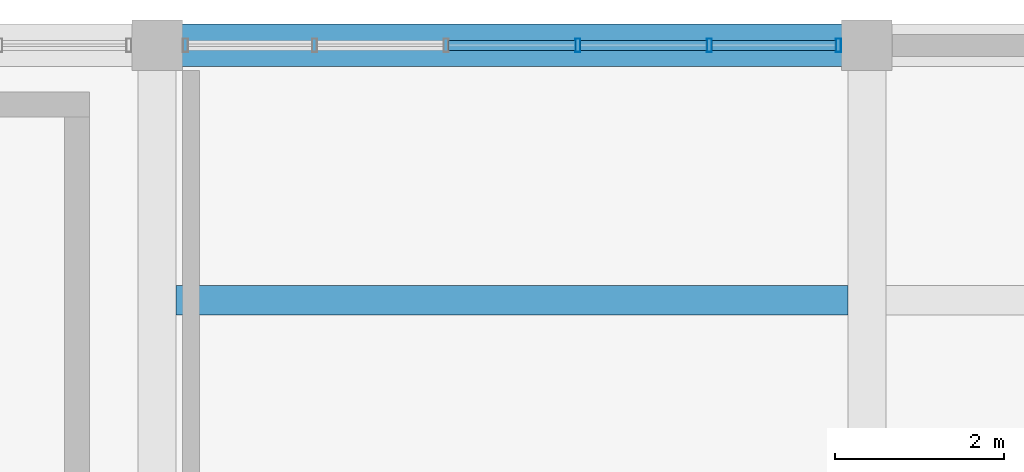
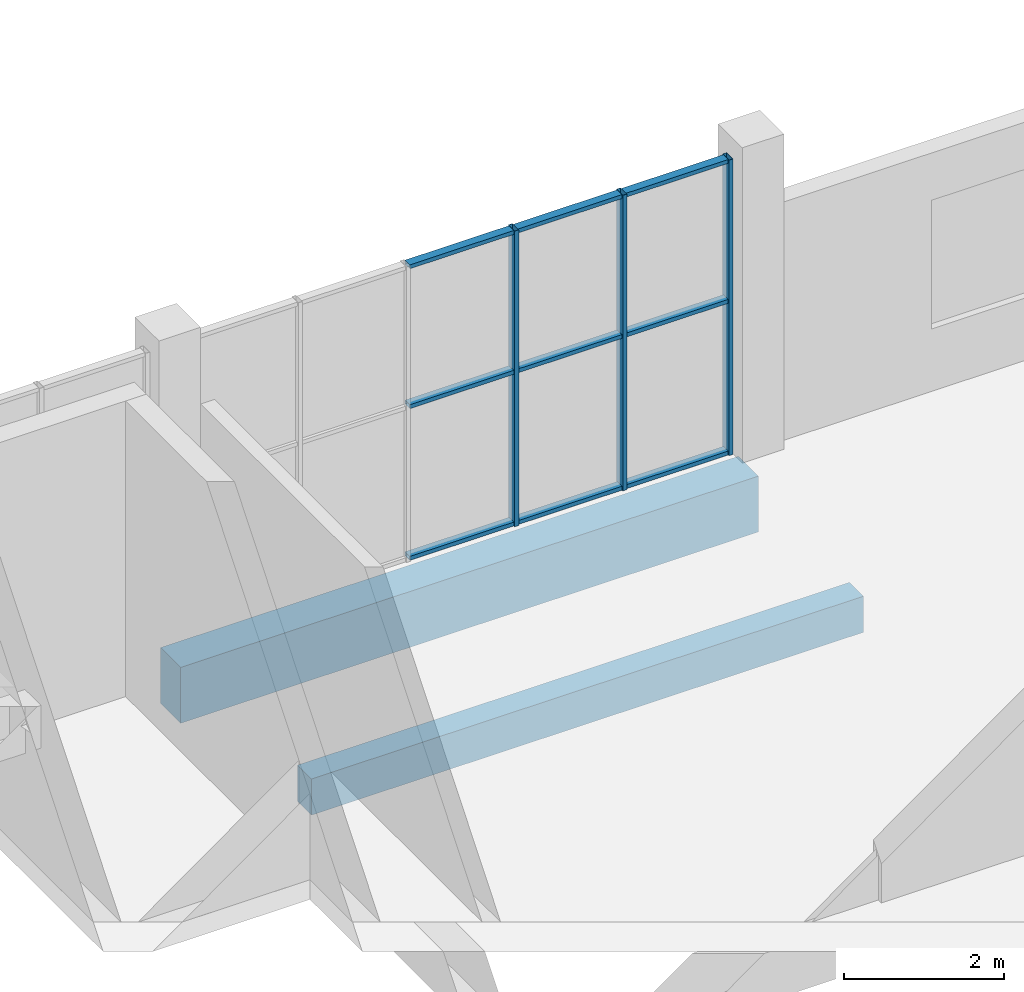
# One storey, part 36 of 80: 12 members, 2 beams, 1 element without a shape of its own.
"""IFC4 building model written with IfcOpenShell, lengths in metres."""

from ifc_helpers import new_model, si_unit, direction, frame, origin, origin_2d, place, context, subcontext, project, spatial, rectangle, hollow_rectangle, extrude, material, material_profile, profile_set, type_object, element, aggregate, save


model = new_model("IFC4")

# Units and contexts
model_context = context("Model", 3, precision=1e-05, world=origin(), true_north=direction((0.0, 1.0)))
body_context = subcontext(model_context, "Body", "Model", "MODEL_VIEW")
ifc_project = project(units=[si_unit("LENGTHUNIT", "METRE"), si_unit("AREAUNIT", "SQUARE_METRE"), si_unit("VOLUMEUNIT", "CUBIC_METRE"), si_unit("PLANEANGLEUNIT", "RADIAN"), si_unit("MASSUNIT", "GRAM", prefix="KILO")], contexts=[model_context])

# Site, building, storey
site_placement = place(None, origin())
site = spatial("IfcSite", under=ifc_project, at=site_placement, CompositionType="ELEMENT")
building_placement = place(site_placement, origin())
building = spatial("IfcBuilding", under=site, at=building_placement, Name="Khurvash Pelagic Aquarium", CompositionType="ELEMENT")
storey_placement = place(building_placement, frame((0.0, 0.0, 10.800048828125)))
storey = spatial("IfcBuildingStorey", under=building, at=storey_placement, Name="L02", CompositionType="ELEMENT", Elevation=10.800048828125)

# Curtain wall, members
ifc_material_1 = material(Name="Anodised aluminium and low-E laminated glass", Category="aluminium")
curtain_wall_type = type_object("IfcCurtainWallType", Name="CW-06", PredefinedType="USERDEFINED", material=ifc_material_1)
curtain_wall_placement = place(storey_placement, origin())
curtain_wall = element("IfcCurtainWall", 1, at=curtain_wall_placement, inside=storey, type_object=curtain_wall_type, Name="L02 Facade Unitised Curtain Wall CW-06 0167", ObjectType="UNITISED CURTAIN WALL", PredefinedType="USERDEFINED")
ifc_material_2 = material(Name="Extruded aluminium AW-6063-T6", Category="aluminium")
ifc_material_profile_1 = material_profile(ifc_material_2, hollow_rectangle(XDim=0.06005859375, YDim=0.159912109375, WallThickness=0.00390625, at=origin_2d()), Name="CWM60X160X4")
ifc_profile_set_1 = profile_set([ifc_material_profile_1], Name="Extruded aluminium AW-6063-T6")
member_type_1 = type_object("IfcMemberType", Name="CM-02", PredefinedType="MULLION", material=ifc_profile_set_1)
member_1_placement = place(storey_placement, frame((83.6650390625, 102.14990234375, 0.0), z_axis=(0.0, 0.0, 1.0), x_axis=(-1.0, 0.0, 0.0)))
member_1 = element("IfcMember", 2, at=member_1_placement, type_object=member_type_1, Name="CW-06 mullion 1", PredefinedType="MULLION", context=body_context, shape_type="SweptSolid", body=[
    extrude(hollow_rectangle(XDim=0.06005859375, YDim=0.159912109375, WallThickness=0.00390625, at=origin_2d()), origin(), (0.0, 0.0, 1.0), 4.5),
])
member_2_placement = place(storey_placement, frame((82.136962890625, 102.14990234375, 0.0), z_axis=(0.0, 0.0, 1.0), x_axis=(-1.0, 0.0, 0.0)))
member_2 = element("IfcMember", 3, at=member_2_placement, type_object=member_type_1, Name="CW-06 mullion 2", PredefinedType="MULLION", context=body_context, shape_type="SweptSolid", body=[
    extrude(hollow_rectangle(XDim=0.06005859375, YDim=0.159912109375, WallThickness=0.00390625, at=origin_2d()), origin(), (0.0, 0.0, 1.0), 4.5),
])
member_3_placement = place(storey_placement, frame((80.5791015625, 102.14990234375, 0.0), z_axis=(0.0, 0.0, 1.0), x_axis=(-1.0, 0.0, 0.0)))
member_3 = element("IfcMember", 4, at=member_3_placement, type_object=member_type_1, Name="CW-06 mullion 3", PredefinedType="MULLION", context=body_context, shape_type="SweptSolid", body=[
    extrude(hollow_rectangle(XDim=0.06005859375, YDim=0.159912109375, WallThickness=0.00390625, at=origin_2d()), origin(), (0.0, 0.0, 1.0), 4.5),
])
ifc_material_profile_2 = material_profile(ifc_material_2, hollow_rectangle(XDim=0.1201171875, YDim=0.06005859375, WallThickness=0.00390625, at=origin_2d()), Name="CWT120X60X4")
ifc_profile_set_2 = profile_set([ifc_material_profile_2], Name="Extruded aluminium AW-6063-T6")
member_type_2 = type_object("IfcMemberType", Name="CT-02", PredefinedType="USERDEFINED", material=ifc_profile_set_2)
member_4_placement = place(storey_placement, frame((83.635009765625, 102.14990234375, 0.030029296875), z_axis=(-1.0, 0.0, 0.0), x_axis=(0.0, -1.0, 0.0)))
member_4 = element("IfcMember", 5, at=member_4_placement, type_object=member_type_2, Name="CW-06 transom 1.1", ObjectType="TRANSOM", PredefinedType="USERDEFINED", context=body_context, shape_type="SweptSolid", body=[
    extrude(hollow_rectangle(XDim=0.1201171875, YDim=0.06005859375, WallThickness=0.00390625, at=origin_2d()), origin(), (0.0, 0.0, 1.0), 1.468017578125),
])
member_5_placement = place(storey_placement, frame((83.635009765625, 102.14990234375, 2.33984375), z_axis=(-1.0, 0.0, 0.0), x_axis=(0.0, -1.0, 0.0)))
member_5 = element("IfcMember", 6, at=member_5_placement, type_object=member_type_2, Name="CW-06 transom 1.2", ObjectType="TRANSOM", PredefinedType="USERDEFINED", context=body_context, shape_type="SweptSolid", body=[
    extrude(hollow_rectangle(XDim=0.1201171875, YDim=0.06005859375, WallThickness=0.00390625, at=origin_2d()), origin(), (0.0, 0.0, 1.0), 1.468017578125),
])
member_6_placement = place(storey_placement, frame((83.635009765625, 102.14990234375, 4.469970703125), z_axis=(-1.0, 0.0, 0.0), x_axis=(0.0, -1.0, 0.0)))
member_6 = element("IfcMember", 7, at=member_6_placement, type_object=member_type_2, Name="CW-06 transom 1.3", ObjectType="TRANSOM", PredefinedType="USERDEFINED", context=body_context, shape_type="SweptSolid", body=[
    extrude(hollow_rectangle(XDim=0.1201171875, YDim=0.06005859375, WallThickness=0.00390625, at=origin_2d()), origin(), (0.0, 0.0, 1.0), 1.468017578125),
])
member_7_placement = place(storey_placement, frame((82.10693359375, 102.14990234375, 0.030029296875), z_axis=(-1.0, 0.0, 0.0), x_axis=(0.0, -1.0, 0.0)))
member_7 = element("IfcMember", 8, at=member_7_placement, type_object=member_type_2, Name="CW-06 transom 2.1", ObjectType="TRANSOM", PredefinedType="USERDEFINED", context=body_context, shape_type="SweptSolid", body=[
    extrude(hollow_rectangle(XDim=0.1201171875, YDim=0.06005859375, WallThickness=0.00390625, at=origin_2d()), origin(), (0.0, 0.0, 1.0), 1.498046875),
])
member_8_placement = place(storey_placement, frame((82.10693359375, 102.14990234375, 2.33984375), z_axis=(-1.0, 0.0, 0.0), x_axis=(0.0, -1.0, 0.0)))
member_8 = element("IfcMember", 9, at=member_8_placement, type_object=member_type_2, Name="CW-06 transom 2.2", ObjectType="TRANSOM", PredefinedType="USERDEFINED", context=body_context, shape_type="SweptSolid", body=[
    extrude(hollow_rectangle(XDim=0.1201171875, YDim=0.06005859375, WallThickness=0.00390625, at=origin_2d()), origin(), (0.0, 0.0, 1.0), 1.498046875),
])
member_9_placement = place(storey_placement, frame((82.10693359375, 102.14990234375, 4.469970703125), z_axis=(-1.0, 0.0, 0.0), x_axis=(0.0, -1.0, 0.0)))
member_9 = element("IfcMember", 10, at=member_9_placement, type_object=member_type_2, Name="CW-06 transom 2.3", ObjectType="TRANSOM", PredefinedType="USERDEFINED", context=body_context, shape_type="SweptSolid", body=[
    extrude(hollow_rectangle(XDim=0.1201171875, YDim=0.06005859375, WallThickness=0.00390625, at=origin_2d()), origin(), (0.0, 0.0, 1.0), 1.498046875),
])
member_10_placement = place(storey_placement, frame((80.549072265625, 102.14990234375, 0.030029296875), z_axis=(-1.0, 0.0, 0.0), x_axis=(0.0, -1.0, 0.0)))
member_10 = element("IfcMember", 11, at=member_10_placement, type_object=member_type_2, Name="CW-06 transom 3.1", ObjectType="TRANSOM", PredefinedType="USERDEFINED", context=body_context, shape_type="SweptSolid", body=[
    extrude(hollow_rectangle(XDim=0.1201171875, YDim=0.06005859375, WallThickness=0.00390625, at=origin_2d()), origin(), (0.0, 0.0, 1.0), 1.498046875),
])
member_11_placement = place(storey_placement, frame((80.549072265625, 102.14990234375, 2.33984375), z_axis=(-1.0, 0.0, 0.0), x_axis=(0.0, -1.0, 0.0)))
member_11 = element("IfcMember", 12, at=member_11_placement, type_object=member_type_2, Name="CW-06 transom 3.2", ObjectType="TRANSOM", PredefinedType="USERDEFINED", context=body_context, shape_type="SweptSolid", body=[
    extrude(hollow_rectangle(XDim=0.1201171875, YDim=0.06005859375, WallThickness=0.00390625, at=origin_2d()), origin(), (0.0, 0.0, 1.0), 1.498046875),
])
member_12_placement = place(storey_placement, frame((80.549072265625, 102.14990234375, 4.469970703125), z_axis=(-1.0, 0.0, 0.0), x_axis=(0.0, -1.0, 0.0)))
member_12 = element("IfcMember", 13, at=member_12_placement, type_object=member_type_2, Name="CW-06 transom 3.3", ObjectType="TRANSOM", PredefinedType="USERDEFINED", context=body_context, shape_type="SweptSolid", body=[
    extrude(hollow_rectangle(XDim=0.1201171875, YDim=0.06005859375, WallThickness=0.00390625, at=origin_2d()), origin(), (0.0, 0.0, 1.0), 1.498046875),
])
aggregate(curtain_wall, [member_1, member_2, member_3, member_4, member_5, member_6, member_7, member_8, member_9, member_10, member_11, member_12])

# Beams
ifc_material_3 = material(Name="Concrete C35/45", Category="concrete")
ifc_material_profile_3 = material_profile(ifc_material_3, rectangle(XDim=0.35009765625, YDim=0.550048828125, at=origin_2d()), Name="RC350X550")
ifc_profile_set_3 = profile_set([ifc_material_profile_3], Name="Concrete C35/45")
beam_type_1 = type_object("IfcBeamType", Name="JS-01", PredefinedType="JOIST", material=ifc_profile_set_3)
beam_1_placement = place(storey_placement, frame((75.824951171875, 99.133056640625, -0.574951171875), z_axis=(1.0, 0.0, 0.0), x_axis=(0.0, 1.0, 0.0)))
element("IfcBeam", 14, at=beam_1_placement, inside=storey, type_object=beam_type_1, Name="L02 Floor Joist JS-01 00794", PredefinedType="JOIST", context=body_context, shape_type="SweptSolid", body=[
    extrude(rectangle(XDim=0.35009765625, YDim=0.550048828125, at=origin_2d()), origin(), (0.0, 0.0, 1.0), 7.949951171875),
])
ifc_material_4 = material(Name="Concrete C40/50", Category="concrete")
ifc_material_profile_4 = material_profile(ifc_material_4, rectangle(XDim=0.5, YDim=0.85009765625, at=origin_2d()), Name="RC500X850")
ifc_profile_set_4 = profile_set([ifc_material_profile_4], Name="Concrete C40/50")
beam_type_2 = type_object("IfcBeamType", Name="SEB-03", PredefinedType="SPANDREL", material=ifc_profile_set_4)
beam_2_placement = place(storey_placement, frame((75.639892578125, 102.14990234375, -0.7451171875), z_axis=(1.0, 0.0, 0.0), x_axis=(0.0, 1.0, 0.0)))
element("IfcBeam", 15, at=beam_2_placement, inside=storey, type_object=beam_type_2, Name="L02 Primary Girder SEB-03 00644", PredefinedType="SPANDREL", context=body_context, shape_type="SweptSolid", body=[
    extrude(rectangle(XDim=0.5, YDim=0.85009765625, at=origin_2d()), origin(), (0.0, 0.0, 1.0), 8.320068359375),
])

save(model, "model.ifc")
